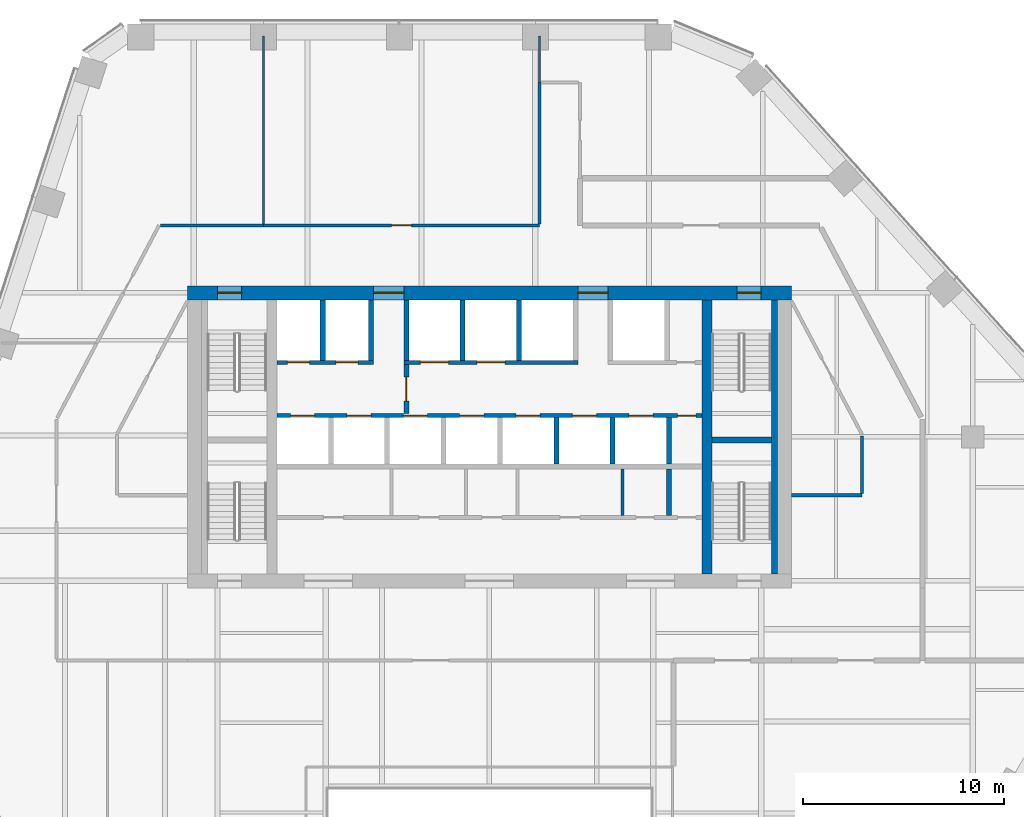
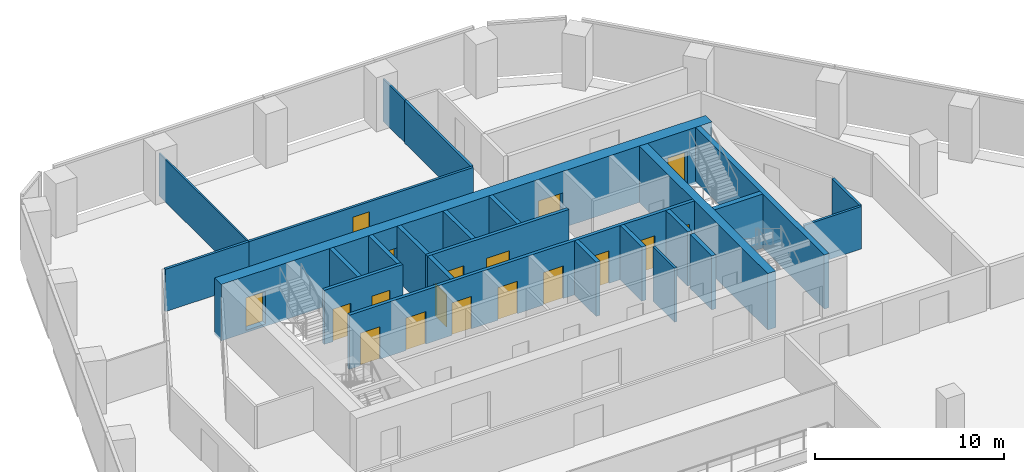
# One storey, part 12 of 16: 25 walls, 18 doors, 18 openings.
"""IFC4 building model written with IfcOpenShell, lengths in metres."""

from ifc_helpers import new_model, si_unit, direction, frame, frame_2d, origin, place, context, subcontext, project, spatial, rectangle, extrude, material, layer, layer_set, type_object, element, fill, save


model = new_model("IFC4")

# Units and contexts
model_context = context("Model", 3, precision=1e-05, world=origin(), true_north=direction((0.0, 1.0)))
body_context = subcontext(model_context, "Body", "Model", "MODEL_VIEW")
ifc_project = project(units=[si_unit("LENGTHUNIT", "METRE"), si_unit("AREAUNIT", "SQUARE_METRE"), si_unit("VOLUMEUNIT", "CUBIC_METRE"), si_unit("PLANEANGLEUNIT", "RADIAN"), si_unit("MASSUNIT", "GRAM", prefix="KILO")], contexts=[model_context])

# Site, building, storey
site_placement = place(None, origin())
site = spatial("IfcSite", under=ifc_project, at=site_placement, CompositionType="ELEMENT")
building_placement = place(site_placement, origin())
building = spatial("IfcBuilding", under=site, at=building_placement, Name="Isthmus Gate Tower", CompositionType="ELEMENT")
storey_placement = place(building_placement, frame((0.0, 0.0, 178.10009765625)))
storey = spatial("IfcBuildingStorey", under=building, at=storey_placement, Name="L44", CompositionType="ELEMENT", Elevation=178.10009765625)

# Wall, opening, door
ifc_material_1 = material(Name="Gypsum board on steel studs, fire-rated", Category="steel")
ifc_layer_1 = layer(ifc_material_1, 0.14990234375)
ifc_layer_set_1 = layer_set([ifc_layer_1], Name="CORRIDOR WALL 150 60 MIN")
wall_type_1 = type_object("IfcWallType", Name="CORRIDOR WALL 150 60 MIN", PredefinedType="PARTITIONING", material=ifc_layer_set_1)
wall_1_placement = place(storey_placement, frame((-11.2119140625, 18.0, 0.0), z_axis=(0.0, 0.0, 1.0), x_axis=(1.0, 0.0, 0.0)))
wall_1 = element("IfcWall", 1, at=wall_1_placement, inside=storey, type_object=wall_type_1, Name="L44 Corridor Wall 150 60 Min", PredefinedType="PARTITIONING", context=body_context, shape_type="SweptSolid", body=[
    extrude(rectangle(XDim=13.7119140625, YDim=0.14990234375, at=frame_2d((6.85595703125, 0.0))), origin(), (0.0, 0.0, 1.0), 2.7412109375),
])
opening_1_placement = place(wall_1_placement, frame((6.35595703125, 0.0, 0.0)))
opening_1 = element("IfcOpeningElement", 2, at=opening_1_placement, cuts=wall_1, Name="Opening DT-T4A-01", PredefinedType="OPENING", context=body_context, shape_type="SweptSolid", body=[
    extrude(rectangle(XDim=1.0, YDim=2.10009765625, at=frame_2d((0.5, 1.050048828125))), frame((0.0, 0.0849609375, 0.0), z_axis=(0.0, -1.0, 0.0), x_axis=(1.0, 0.0, 0.0)), (0.0, 0.0, 1.0), 0.169921875),
])
ifc_material_2 = material(Name="Solid core timber door leaf, fire-rated", Category="wood")
door_type_1 = type_object("IfcDoorType", Name="FIRE DOOR ROOM 1000 X 2100 60 MIN", OperationType="SINGLE_SWING_LEFT", PredefinedType="DOOR", material=ifc_material_2)
door_1_placement = place(opening_1_placement, origin())
door_1 = element("IfcDoor", 3, at=door_1_placement, inside=storey, type_object=door_type_1, Name="L44 room door", OperationType="SINGLE_SWING_RIGHT", OverallHeight=2.10009765625, OverallWidth=1.0, PredefinedType="DOOR", context=body_context, shape_type="SweptSolid", body=[
    extrude(rectangle(XDim=1.0, YDim=2.10009765625, at=frame_2d((0.5, 1.050048828125))), frame((0.0, 0.02490234375, 0.0), z_axis=(0.0, -1.0, 0.0), x_axis=(1.0, 0.0, 0.0)), (0.0, 0.0, 1.0), 0.050048828125),
])
fill(opening_1, door_1)

# Walls
wall_2_placement = place(storey_placement, frame((2.5, 18.074951171875, 0.0), z_axis=(0.0, 0.0, 1.0), x_axis=(0.0, 1.0, 0.0)))
element("IfcWall", 4, at=wall_2_placement, inside=storey, type_object=wall_type_1, Name="L44 Corridor Wall 150 60 Min", PredefinedType="PARTITIONING", context=body_context, shape_type="SweptSolid", body=[
    extrude(rectangle(XDim=7.025146484375, YDim=0.14990234375, at=frame_2d((3.5126953125, 0.0))), origin(), (0.0, 0.0, 1.0), 2.7412109375),
])
wall_3_placement = place(storey_placement, frame((-16.327880859375, 18.0, 0.0), z_axis=(0.0, 0.0, 1.0), x_axis=(1.0, 0.0, 0.0)))
element("IfcWall", 5, at=wall_3_placement, inside=storey, type_object=wall_type_1, Name="L44 Corridor Wall 150 60 Min", PredefinedType="PARTITIONING", context=body_context, shape_type="SweptSolid", body=[
    extrude(rectangle(XDim=5.115966796875, YDim=0.14990234375, at=frame_2d((2.55810546875, 0.0))), origin(), (0.0, 0.0, 1.0), 2.7412109375),
])
wall_4_placement = place(storey_placement, frame((15.0, 4.60009765625, 0.0), z_axis=(0.0, 0.0, 1.0), x_axis=(1.0, 0.0, 0.0)))
element("IfcWall", 6, at=wall_4_placement, inside=storey, type_object=wall_type_1, Name="L44 Corridor Wall 150 60 Min", PredefinedType="PARTITIONING", context=body_context, shape_type="SweptSolid", body=[
    extrude(rectangle(XDim=3.5, YDim=0.14990234375, at=frame_2d((1.75, 0.0))), origin(), (0.0, 0.0, 1.0), 2.7412109375),
])
wall_5_placement = place(storey_placement, frame((18.5, 4.675048828125, 0.0), z_axis=(0.0, 0.0, 1.0), x_axis=(0.0, 1.0, 0.0)))
element("IfcWall", 7, at=wall_5_placement, inside=storey, type_object=wall_type_1, Name="L44 Corridor Wall 150 60 Min", PredefinedType="PARTITIONING", context=body_context, shape_type="SweptSolid", body=[
    extrude(rectangle(XDim=2.876953125, YDim=0.14990234375, at=frame_2d((1.4384765625, 0.0))), origin(), (0.0, 0.0, 1.0), 2.7412109375),
])

# Wall, opening, door
ifc_material_3 = material(Name="Fire-rated blockwork masonry, 15 MPa", Category="masonry")
ifc_layer_2 = layer(ifc_material_3, 0.25)
ifc_layer_set_2 = layer_set([ifc_layer_2], Name="FIRE-FIGHTING LOBBY WALL 250 90 MIN")
wall_type_2 = type_object("IfcWallType", Name="FIRE-FIGHTING LOBBY WALL 250 90 MIN", PredefinedType="PARTITIONING", material=ifc_layer_set_2)
wall_6_placement = place(storey_placement, frame((-4.125, 8.64990234375, 0.0), z_axis=(0.0, 0.0, 1.0), x_axis=(0.0, 1.0, 0.0)))
wall_6 = element("IfcWall", 8, at=wall_6_placement, inside=storey, type_object=wall_type_2, Name="L44 FIRE-FIGHTING LOBBY WALL 250 90 MIN", PredefinedType="PARTITIONING", context=body_context, shape_type="SweptSolid", body=[
    extrude(rectangle(XDim=2.4501953125, YDim=0.25, at=frame_2d((1.22509765625, 0.0))), origin(), (0.0, 0.0, 1.0), 3.5),
])
opening_2_placement = place(wall_6_placement, frame((0.625, 0.0, 0.0)))
opening_2 = element("IfcOpeningElement", 9, at=opening_2_placement, cuts=wall_6, Name="Opening DC-A11-01", PredefinedType="OPENING", context=body_context, shape_type="SweptSolid", body=[
    extrude(rectangle(XDim=1.199951171875, YDim=2.10009765625, at=frame_2d((0.60009765625, 1.050048828125))), frame((0.0, 0.135009765625, 0.0), z_axis=(0.0, -1.0, 0.0), x_axis=(1.0, 0.0, 0.0)), (0.0, 0.0, 1.0), 0.27001953125),
])
ifc_material_4 = material(Name="Steel door leaf, fire-rated", Category="steel")
door_type_2 = type_object("IfcDoorType", Name="LOBBY FIRE DOOR 1200 X 2100 90 MIN", OperationType="DOUBLE_DOOR_SINGLE_SWING", PredefinedType="DOOR", material=ifc_material_4)
door_2_placement = place(opening_2_placement, origin())
door_2 = element("IfcDoor", 10, at=door_2_placement, inside=storey, type_object=door_type_2, Name="Fire-fighting Lobby Door", OperationType="SINGLE_SWING_LEFT", OverallHeight=2.10009765625, OverallWidth=1.199951171875, PredefinedType="DOOR", context=body_context, shape_type="SweptSolid", body=[
    extrude(rectangle(XDim=1.199951171875, YDim=2.10009765625, at=frame_2d((0.60009765625, 1.050048828125))), frame((0.0, 0.02490234375, 0.0), z_axis=(0.0, -1.0, 0.0), x_axis=(1.0, 0.0, 0.0)), (0.0, 0.0, 1.0), 0.050048828125),
])
fill(opening_2, door_2)

# Wall
ifc_material_5 = material(Name="Concrete f'c 60 MPa", Category="concrete")
ifc_layer_3 = layer(ifc_material_5, 0.5)
ifc_layer_set_3 = layer_set([ifc_layer_3], Name="RC CORE SPINE WALL 500 F'C 60")
wall_type_3 = type_object("IfcWallType", Name="RC CORE SPINE WALL 500 F'C 60", PredefinedType="SOLIDWALL", material=ifc_layer_set_3)
wall_7_placement = place(storey_placement, frame((10.800048828125, 0.699951171875, -0.150146484375), z_axis=(0.0, 0.0, 1.0), x_axis=(0.0, 1.0, 0.0)))
element("IfcWall", 11, at=wall_7_placement, inside=storey, type_object=wall_type_3, Name="str-corewall-L44-SPE", PredefinedType="SOLIDWALL", context=body_context, shape_type="SweptSolid", body=[
    extrude(rectangle(XDim=13.60009765625, YDim=0.5, at=frame_2d((6.800048828125, 0.0))), origin(), (0.0, 0.0, 1.0), 3.650146484375),
])

# Wall, openings, doors
ifc_material_6 = material(Name="Concrete f'c 60 MPa", Category="concrete")
ifc_layer_4 = layer(ifc_material_6, 0.699951171875)
ifc_layer_set_4 = layer_set([ifc_layer_4], Name="RC CORE WALL 700 F'C 60")
wall_type_4 = type_object("IfcWallType", Name="RC CORE WALL 700 F'C 60", PredefinedType="SOLIDWALL", material=ifc_layer_set_4)
wall_8_placement = place(storey_placement, frame((-15.0, 14.64990234375, -0.150146484375), z_axis=(0.0, 0.0, 1.0), x_axis=(1.0, 0.0, 0.0)))
wall_8 = element("IfcWall", 12, at=wall_8_placement, inside=storey, type_object=wall_type_4, Name="str-corewall-L44-N", PredefinedType="SOLIDWALL", context=body_context, shape_type="SweptSolid", body=[
    extrude(rectangle(XDim=30.0, YDim=0.699951171875, at=frame_2d((15.0, 0.0))), origin(), (0.0, 0.0, 1.0), 3.650146484375),
])
opening_3_placement = place(wall_8_placement, frame((9.25, 0.0, 0.14990234375)))
opening_3 = element("IfcOpeningElement", 13, at=opening_3_placement, cuts=wall_8, Name="Opening DC-A11-13", PredefinedType="OPENING", context=body_context, shape_type="SweptSolid", body=[
    extrude(rectangle(XDim=1.5, YDim=2.10009765625, at=frame_2d((0.75, 1.050048828125))), frame((0.0, 0.35986328125, 0.0), z_axis=(0.0, -1.0, 0.0), x_axis=(1.0, 0.0, 0.0)), (0.0, 0.0, 1.0), 0.719970703125),
])
opening_4_placement = place(wall_8_placement, frame((19.39990234375, 0.0, 0.14990234375)))
opening_4 = element("IfcOpeningElement", 14, at=opening_4_placement, cuts=wall_8, Name="Opening DC-A11-14", PredefinedType="OPENING", context=body_context, shape_type="SweptSolid", body=[
    extrude(rectangle(XDim=1.5, YDim=2.10009765625, at=frame_2d((0.75, 1.050048828125))), frame((0.0, 0.35986328125, 0.0), z_axis=(0.0, -1.0, 0.0), x_axis=(1.0, 0.0, 0.0)), (0.0, 0.0, 1.0), 0.719970703125),
])
opening_5_placement = place(wall_8_placement, frame((1.5, 0.0, 0.14990234375)))
opening_5 = element("IfcOpeningElement", 15, at=opening_5_placement, cuts=wall_8, Name="Opening DC-A11-15", PredefinedType="OPENING", context=body_context, shape_type="SweptSolid", body=[
    extrude(rectangle(XDim=1.199951171875, YDim=2.10009765625, at=frame_2d((0.60009765625, 1.050048828125))), frame((0.0, 0.35986328125, 0.0), z_axis=(0.0, -1.0, 0.0), x_axis=(1.0, 0.0, 0.0)), (0.0, 0.0, 1.0), 0.719970703125),
])
opening_6_placement = place(wall_8_placement, frame((27.300048828125, 0.0, 0.14990234375)))
opening_6 = element("IfcOpeningElement", 16, at=opening_6_placement, cuts=wall_8, Name="Opening DC-A11-16", PredefinedType="OPENING", context=body_context, shape_type="SweptSolid", body=[
    extrude(rectangle(XDim=1.199951171875, YDim=2.10009765625, at=frame_2d((0.60009765625, 1.050048828125))), frame((0.0, 0.35986328125, 0.0), z_axis=(0.0, -1.0, 0.0), x_axis=(1.0, 0.0, 0.0)), (0.0, 0.0, 1.0), 0.719970703125),
])
ifc_material_7 = material(Name="Steel door leaf, fire-rated", Category="steel")
door_type_3 = type_object("IfcDoorType", Name="LOBBY FIRE DOOR 1500 X 2100 60 MIN", OperationType="DOUBLE_DOOR_SINGLE_SWING", PredefinedType="DOOR", material=ifc_material_7)
door_3_placement = place(opening_4_placement, origin())
door_3 = element("IfcDoor", 17, at=door_3_placement, inside=storey, type_object=door_type_3, Name="Lobby Door PN-E", OperationType="DOUBLE_DOOR_SINGLE_SWING", OverallHeight=2.10009765625, OverallWidth=1.5, PredefinedType="DOOR", context=body_context, shape_type="SweptSolid", body=[
    extrude(rectangle(XDim=1.5, YDim=2.10009765625, at=frame_2d((0.75, 1.050048828125))), frame((0.0, 0.02490234375, 0.0), z_axis=(0.0, -1.0, 0.0), x_axis=(1.0, 0.0, 0.0)), (0.0, 0.0, 1.0), 0.050048828125),
])
fill(opening_4, door_3)
ifc_material_8 = material(Name="Steel door leaf, fire-rated", Category="steel")
door_type_4 = type_object("IfcDoorType", Name="LOBBY FIRE DOOR 1500 X 2100 90 MIN", OperationType="DOUBLE_DOOR_SINGLE_SWING", PredefinedType="DOOR", material=ifc_material_8)
door_4_placement = place(opening_3_placement, origin())
door_4 = element("IfcDoor", 18, at=door_4_placement, inside=storey, type_object=door_type_4, Name="Lobby Door PN-W", OperationType="DOUBLE_DOOR_SINGLE_SWING", OverallHeight=2.10009765625, OverallWidth=1.5, PredefinedType="DOOR", context=body_context, shape_type="SweptSolid", body=[
    extrude(rectangle(XDim=1.5, YDim=2.10009765625, at=frame_2d((0.75, 1.050048828125))), frame((0.0, 0.02490234375, 0.0), z_axis=(0.0, -1.0, 0.0), x_axis=(1.0, 0.0, 0.0)), (0.0, 0.0, 1.0), 0.050048828125),
])
fill(opening_3, door_4)
ifc_material_9 = material(Name="Steel door leaf, fire-rated", Category="steel")
door_type_5 = type_object("IfcDoorType", Name="STAIR FIRE DOOR 1200 X 2100 90 MIN", OperationType="SINGLE_SWING_LEFT", PredefinedType="DOOR", material=ifc_material_9)
door_5_placement = place(opening_5_placement, origin())
door_5 = element("IfcDoor", 19, at=door_5_placement, inside=storey, type_object=door_type_5, Name="Exit Stair 1 Door", OperationType="SINGLE_SWING_RIGHT", OverallHeight=2.10009765625, OverallWidth=1.199951171875, PredefinedType="DOOR", context=body_context, shape_type="SweptSolid", body=[
    extrude(rectangle(XDim=1.199951171875, YDim=2.10009765625, at=frame_2d((0.60009765625, 1.050048828125))), frame((0.0, 0.02490234375, 0.0), z_axis=(0.0, -1.0, 0.0), x_axis=(1.0, 0.0, 0.0)), (0.0, 0.0, 1.0), 0.050048828125),
])
fill(opening_5, door_5)
door_6_placement = place(opening_6_placement, origin())
door_6 = element("IfcDoor", 20, at=door_6_placement, inside=storey, type_object=door_type_5, Name="Exit Stair 2 Door", OperationType="SINGLE_SWING_LEFT", OverallHeight=2.10009765625, OverallWidth=1.199951171875, PredefinedType="DOOR", context=body_context, shape_type="SweptSolid", body=[
    extrude(rectangle(XDim=1.199951171875, YDim=2.10009765625, at=frame_2d((0.60009765625, 1.050048828125))), frame((0.0, 0.02490234375, 0.0), z_axis=(0.0, -1.0, 0.0), x_axis=(1.0, 0.0, 0.0)), (0.0, 0.0, 1.0), 0.050048828125),
])
fill(opening_6, door_6)

# Walls
ifc_material_10 = material(Name="Gypsum board on steel studs, fire-rated", Category="steel")
ifc_layer_5 = layer(ifc_material_10, 0.10009765625)
ifc_layer_set_5 = layer_set([ifc_layer_5], Name="ROOM PARTITION 100 30 MIN")
wall_type_5 = type_object("IfcWallType", Name="ROOM PARTITION 100 30 MIN", PredefinedType="PARTITIONING", material=ifc_layer_set_5)
wall_9_placement = place(storey_placement, frame((2.5, 25.10009765625, 0.0), z_axis=(0.0, 0.0, 1.0), x_axis=(0.0, 1.0, 0.0)))
element("IfcWall", 21, at=wall_9_placement, inside=storey, type_object=wall_type_5, Name="L44 Room Partition 100 30 Min", PredefinedType="PARTITIONING", context=body_context, shape_type="SweptSolid", body=[
    extrude(rectangle(XDim=2.2998046875, YDim=0.10009765625, at=frame_2d((1.14990234375, 0.0))), origin(), (0.0, 0.0, 1.0), 2.7412109375),
])
wall_10_placement = place(storey_placement, frame((-11.2119140625, 18.074951171875, 0.0), z_axis=(0.0, 0.0, 1.0), x_axis=(0.0, 1.0, 0.0)))
element("IfcWall", 22, at=wall_10_placement, inside=storey, type_object=wall_type_5, Name="L44 Room Partition 100 30 Min", PredefinedType="PARTITIONING", context=body_context, shape_type="SweptSolid", body=[
    extrude(rectangle(XDim=9.324951171875, YDim=0.10009765625, at=frame_2d((4.66259765625, 0.0))), origin(), (0.0, 0.0, 1.0), 2.7412109375),
])
ifc_material_11 = material(Name="Gypsum board on steel studs, fire-rated", Category="steel")
ifc_layer_6 = layer(ifc_material_11, 0.14990234375)
ifc_layer_set_6 = layer_set([ifc_layer_6], Name="ROOM PARTITION 150 60 MIN")
wall_type_6 = type_object("IfcWallType", Name="ROOM PARTITION 150 60 MIN", PredefinedType="PARTITIONING", material=ifc_layer_set_6)
wall_11_placement = place(storey_placement, frame((6.60009765625, 3.60009765625, 0.0), z_axis=(0.0, 0.0, 1.0), x_axis=(0.0, 1.0, 0.0)))
element("IfcWall", 23, at=wall_11_placement, inside=storey, type_object=wall_type_6, Name="L44 ROOM PARTITION 150 60 MIN", PredefinedType="PARTITIONING", context=body_context, shape_type="SweptSolid", body=[
    extrude(rectangle(XDim=2.2998046875, YDim=0.14990234375, at=frame_2d((1.14990234375, 0.0))), origin(), (0.0, 0.0, 1.0), 3.5),
])

# Wall, openings, doors
ifc_material_12 = material(Name="Fire-rated blockwork masonry, 15 MPa", Category="masonry")
ifc_layer_7 = layer(ifc_material_12, 0.199951171875)
ifc_layer_set_7 = layer_set([ifc_layer_7], Name="SHAFT FRONT WALL 200 120 MIN")
wall_type_7 = type_object("IfcWallType", Name="SHAFT FRONT WALL 200 120 MIN", PredefinedType="PARTITIONING", material=ifc_layer_set_7)
wall_12_placement = place(storey_placement, frame((-10.550048828125, 8.550048828125, 0.0), z_axis=(0.0, 0.0, 1.0), x_axis=(1.0, 0.0, 0.0)))
wall_12 = element("IfcWall", 24, at=wall_12_placement, inside=storey, type_object=wall_type_7, Name="L44 SHAFT FRONT WALL 200 120 MIN", PredefinedType="PARTITIONING", context=body_context, shape_type="SweptSolid", body=[
    extrude(rectangle(XDim=21.10009765625, YDim=0.199951171875, at=frame_2d((10.550048828125, 0.0))), origin(), (0.0, 0.0, 1.0), 3.5),
])
opening_7_placement = place(wall_12_placement, frame((0.675048828125, 0.0, 0.0)))
opening_7 = element("IfcOpeningElement", 25, at=opening_7_placement, cuts=wall_12, Name="Opening LD-LB1", PredefinedType="OPENING", context=body_context, shape_type="SweptSolid", body=[
    extrude(rectangle(XDim=1.199951171875, YDim=2.10009765625, at=frame_2d((0.60009765625, 1.050048828125))), frame((0.0, 0.10986328125, 0.0), z_axis=(0.0, -1.0, 0.0), x_axis=(1.0, 0.0, 0.0)), (0.0, 0.0, 1.0), 0.219970703125),
])
opening_8_placement = place(wall_12_placement, frame((3.47509765625, 0.0, 0.0)))
opening_8 = element("IfcOpeningElement", 26, at=opening_8_placement, cuts=wall_12, Name="Opening LD-LB2", PredefinedType="OPENING", context=body_context, shape_type="SweptSolid", body=[
    extrude(rectangle(XDim=1.199951171875, YDim=2.10009765625, at=frame_2d((0.60009765625, 1.050048828125))), frame((0.0, 0.10986328125, 0.0), z_axis=(0.0, -1.0, 0.0), x_axis=(1.0, 0.0, 0.0)), (0.0, 0.0, 1.0), 0.219970703125),
])
opening_9_placement = place(wall_12_placement, frame((6.27490234375, 0.0, 0.0)))
opening_9 = element("IfcOpeningElement", 27, at=opening_9_placement, cuts=wall_12, Name="Opening LD-LB3", PredefinedType="OPENING", context=body_context, shape_type="SweptSolid", body=[
    extrude(rectangle(XDim=1.199951171875, YDim=2.10009765625, at=frame_2d((0.60009765625, 1.050048828125))), frame((0.0, 0.10986328125, 0.0), z_axis=(0.0, -1.0, 0.0), x_axis=(1.0, 0.0, 0.0)), (0.0, 0.0, 1.0), 0.219970703125),
])
opening_10_placement = place(wall_12_placement, frame((9.074951171875, 0.0, 0.0)))
opening_10 = element("IfcOpeningElement", 28, at=opening_10_placement, cuts=wall_12, Name="Opening LD-LB4", PredefinedType="OPENING", context=body_context, shape_type="SweptSolid", body=[
    extrude(rectangle(XDim=1.199951171875, YDim=2.10009765625, at=frame_2d((0.60009765625, 1.050048828125))), frame((0.0, 0.10986328125, 0.0), z_axis=(0.0, -1.0, 0.0), x_axis=(1.0, 0.0, 0.0)), (0.0, 0.0, 1.0), 0.219970703125),
])
opening_11_placement = place(wall_12_placement, frame((11.875, 0.0, 0.0)))
opening_11 = element("IfcOpeningElement", 29, at=opening_11_placement, cuts=wall_12, Name="Opening LD-LB5", PredefinedType="OPENING", context=body_context, shape_type="SweptSolid", body=[
    extrude(rectangle(XDim=1.199951171875, YDim=2.10009765625, at=frame_2d((0.60009765625, 1.050048828125))), frame((0.0, 0.10986328125, 0.0), z_axis=(0.0, -1.0, 0.0), x_axis=(1.0, 0.0, 0.0)), (0.0, 0.0, 1.0), 0.219970703125),
])
opening_12_placement = place(wall_12_placement, frame((14.675048828125, 0.0, 0.0)))
opening_12 = element("IfcOpeningElement", 30, at=opening_12_placement, cuts=wall_12, Name="Opening LD-LB6", PredefinedType="OPENING", context=body_context, shape_type="SweptSolid", body=[
    extrude(rectangle(XDim=1.199951171875, YDim=2.10009765625, at=frame_2d((0.60009765625, 1.050048828125))), frame((0.0, 0.10986328125, 0.0), z_axis=(0.0, -1.0, 0.0), x_axis=(1.0, 0.0, 0.0)), (0.0, 0.0, 1.0), 0.219970703125),
])
opening_13_placement = place(wall_12_placement, frame((17.47509765625, 0.0, 0.0)))
opening_13 = element("IfcOpeningElement", 31, at=opening_13_placement, cuts=wall_12, Name="Opening LD-LB7", PredefinedType="OPENING", context=body_context, shape_type="SweptSolid", body=[
    extrude(rectangle(XDim=1.199951171875, YDim=2.10009765625, at=frame_2d((0.60009765625, 1.050048828125))), frame((0.0, 0.10986328125, 0.0), z_axis=(0.0, -1.0, 0.0), x_axis=(1.0, 0.0, 0.0)), (0.0, 0.0, 1.0), 0.219970703125),
])
opening_14_placement = place(wall_12_placement, frame((19.89990234375, 0.0, 0.0)))
opening_14 = element("IfcOpeningElement", 32, at=opening_14_placement, cuts=wall_12, Name="Opening DC-A11-08", PredefinedType="OPENING", context=body_context, shape_type="SweptSolid", body=[
    extrude(rectangle(XDim=0.89990234375, YDim=2.10009765625, at=frame_2d((0.449951171875, 1.050048828125))), frame((0.0, 0.10986328125, 0.0), z_axis=(0.0, -1.0, 0.0), x_axis=(1.0, 0.0, 0.0)), (0.0, 0.0, 1.0), 0.219970703125),
])
ifc_material_13 = material(Name="Stainless steel sliding leaf", Category="steel")
door_type_6 = type_object("IfcDoorType", Name="LIFT LANDING FIRE DOOR 1200 X 2100 90 MIN", OperationType="DOUBLE_DOOR_SLIDING", PredefinedType="DOOR", material=ifc_material_13)
door_7_placement = place(opening_7_placement, origin())
door_7 = element("IfcDoor", 33, at=door_7_placement, inside=storey, type_object=door_type_6, Name="Lift Landing Door LB1", OperationType="DOUBLE_DOOR_SLIDING", OverallHeight=2.10009765625, OverallWidth=1.199951171875, PredefinedType="DOOR", context=body_context, shape_type="SweptSolid", body=[
    extrude(rectangle(XDim=1.199951171875, YDim=2.10009765625, at=frame_2d((0.60009765625, 1.050048828125))), frame((0.0, 0.02490234375, 0.0), z_axis=(0.0, -1.0, 0.0), x_axis=(1.0, 0.0, 0.0)), (0.0, 0.0, 1.0), 0.050048828125),
])
fill(opening_7, door_7)
door_8_placement = place(opening_8_placement, origin())
door_8 = element("IfcDoor", 34, at=door_8_placement, inside=storey, type_object=door_type_6, Name="Lift Landing Door LB2", OperationType="DOUBLE_DOOR_SLIDING", OverallHeight=2.10009765625, OverallWidth=1.199951171875, PredefinedType="DOOR", context=body_context, shape_type="SweptSolid", body=[
    extrude(rectangle(XDim=1.199951171875, YDim=2.10009765625, at=frame_2d((0.60009765625, 1.050048828125))), frame((0.0, 0.02490234375, 0.0), z_axis=(0.0, -1.0, 0.0), x_axis=(1.0, 0.0, 0.0)), (0.0, 0.0, 1.0), 0.050048828125),
])
fill(opening_8, door_8)
door_9_placement = place(opening_9_placement, origin())
door_9 = element("IfcDoor", 35, at=door_9_placement, inside=storey, type_object=door_type_6, Name="Lift Landing Door LB3", OperationType="DOUBLE_DOOR_SLIDING", OverallHeight=2.10009765625, OverallWidth=1.199951171875, PredefinedType="DOOR", context=body_context, shape_type="SweptSolid", body=[
    extrude(rectangle(XDim=1.199951171875, YDim=2.10009765625, at=frame_2d((0.60009765625, 1.050048828125))), frame((0.0, 0.02490234375, 0.0), z_axis=(0.0, -1.0, 0.0), x_axis=(1.0, 0.0, 0.0)), (0.0, 0.0, 1.0), 0.050048828125),
])
fill(opening_9, door_9)
door_10_placement = place(opening_10_placement, origin())
door_10 = element("IfcDoor", 36, at=door_10_placement, inside=storey, type_object=door_type_6, Name="Lift Landing Door LB4", OperationType="DOUBLE_DOOR_SLIDING", OverallHeight=2.10009765625, OverallWidth=1.199951171875, PredefinedType="DOOR", context=body_context, shape_type="SweptSolid", body=[
    extrude(rectangle(XDim=1.199951171875, YDim=2.10009765625, at=frame_2d((0.60009765625, 1.050048828125))), frame((0.0, 0.02490234375, 0.0), z_axis=(0.0, -1.0, 0.0), x_axis=(1.0, 0.0, 0.0)), (0.0, 0.0, 1.0), 0.050048828125),
])
fill(opening_10, door_10)
door_11_placement = place(opening_11_placement, origin())
door_11 = element("IfcDoor", 37, at=door_11_placement, inside=storey, type_object=door_type_6, Name="Lift Landing Door LB5", OperationType="DOUBLE_DOOR_SLIDING", OverallHeight=2.10009765625, OverallWidth=1.199951171875, PredefinedType="DOOR", context=body_context, shape_type="SweptSolid", body=[
    extrude(rectangle(XDim=1.199951171875, YDim=2.10009765625, at=frame_2d((0.60009765625, 1.050048828125))), frame((0.0, 0.02490234375, 0.0), z_axis=(0.0, -1.0, 0.0), x_axis=(1.0, 0.0, 0.0)), (0.0, 0.0, 1.0), 0.050048828125),
])
fill(opening_11, door_11)
door_12_placement = place(opening_12_placement, origin())
door_12 = element("IfcDoor", 38, at=door_12_placement, inside=storey, type_object=door_type_6, Name="Lift Landing Door LB6", OperationType="DOUBLE_DOOR_SLIDING", OverallHeight=2.10009765625, OverallWidth=1.199951171875, PredefinedType="DOOR", context=body_context, shape_type="SweptSolid", body=[
    extrude(rectangle(XDim=1.199951171875, YDim=2.10009765625, at=frame_2d((0.60009765625, 1.050048828125))), frame((0.0, 0.02490234375, 0.0), z_axis=(0.0, -1.0, 0.0), x_axis=(1.0, 0.0, 0.0)), (0.0, 0.0, 1.0), 0.050048828125),
])
fill(opening_12, door_12)
door_13_placement = place(opening_13_placement, origin())
door_13 = element("IfcDoor", 39, at=door_13_placement, inside=storey, type_object=door_type_6, Name="Lift Landing Door LB7", OperationType="DOUBLE_DOOR_SLIDING", OverallHeight=2.10009765625, OverallWidth=1.199951171875, PredefinedType="DOOR", context=body_context, shape_type="SweptSolid", body=[
    extrude(rectangle(XDim=1.199951171875, YDim=2.10009765625, at=frame_2d((0.60009765625, 1.050048828125))), frame((0.0, 0.02490234375, 0.0), z_axis=(0.0, -1.0, 0.0), x_axis=(1.0, 0.0, 0.0)), (0.0, 0.0, 1.0), 0.050048828125),
])
fill(opening_13, door_13)
ifc_material_14 = material(Name="Steel door leaf, fire-rated", Category="steel")
door_type_7 = type_object("IfcDoorType", Name="RISER FIRE DOOR 900 X 2100 90 MIN", OperationType="SINGLE_SWING_LEFT", PredefinedType="DOOR", material=ifc_material_14)
door_14_placement = place(opening_14_placement, origin())
door_14 = element("IfcDoor", 40, at=door_14_placement, inside=storey, type_object=door_type_7, Name="Riser Door", OperationType="SINGLE_SWING_RIGHT", OverallHeight=2.10009765625, OverallWidth=0.89990234375, PredefinedType="DOOR", context=body_context, shape_type="SweptSolid", body=[
    extrude(rectangle(XDim=0.89990234375, YDim=2.10009765625, at=frame_2d((0.449951171875, 1.050048828125))), frame((0.0, 0.02490234375, 0.0), z_axis=(0.0, -1.0, 0.0), x_axis=(1.0, 0.0, 0.0)), (0.0, 0.0, 1.0), 0.050048828125),
])
fill(opening_14, door_14)

wall_13_placement = place(storey_placement, frame((-10.550048828125, 11.199951171875, 0.0), z_axis=(0.0, 0.0, 1.0), x_axis=(1.0, 0.0, 0.0)))
wall_13 = element("IfcWall", 41, at=wall_13_placement, inside=storey, type_object=wall_type_7, Name="L44 SHAFT FRONT WALL 200 120 MIN", PredefinedType="PARTITIONING", context=body_context, shape_type="SweptSolid", body=[
    extrude(rectangle(XDim=4.800048828125, YDim=0.199951171875, at=frame_2d((2.39990234375, 0.0))), origin(), (0.0, 0.0, 1.0), 3.5),
])
opening_15_placement = place(wall_13_placement, frame((0.52490234375, 0.0, 0.0)))
opening_15 = element("IfcOpeningElement", 42, at=opening_15_placement, cuts=wall_13, Name="Opening LD-LF1", PredefinedType="OPENING", context=body_context, shape_type="SweptSolid", body=[
    extrude(rectangle(XDim=1.10009765625, YDim=2.10009765625, at=frame_2d((0.550048828125, 1.050048828125))), frame((0.0, 0.10986328125, 0.0), z_axis=(0.0, -1.0, 0.0), x_axis=(1.0, 0.0, 0.0)), (0.0, 0.0, 1.0), 0.219970703125),
])
opening_16_placement = place(wall_13_placement, frame((2.925048828125, 0.0, 0.0)))
opening_16 = element("IfcOpeningElement", 43, at=opening_16_placement, cuts=wall_13, Name="Opening LD-LF2", PredefinedType="OPENING", context=body_context, shape_type="SweptSolid", body=[
    extrude(rectangle(XDim=1.10009765625, YDim=2.10009765625, at=frame_2d((0.550048828125, 1.050048828125))), frame((0.0, 0.10986328125, 0.0), z_axis=(0.0, -1.0, 0.0), x_axis=(1.0, 0.0, 0.0)), (0.0, 0.0, 1.0), 0.219970703125),
])
ifc_material_15 = material(Name="Stainless steel sliding leaf", Category="steel")
door_type_8 = type_object("IfcDoorType", Name="LIFT LANDING FIRE DOOR 1100 X 2100 90 MIN", OperationType="DOUBLE_DOOR_SLIDING", PredefinedType="DOOR", material=ifc_material_15)
door_15_placement = place(opening_15_placement, origin())
door_15 = element("IfcDoor", 44, at=door_15_placement, inside=storey, type_object=door_type_8, Name="Lift Landing Door LF1", OperationType="DOUBLE_DOOR_SLIDING", OverallHeight=2.10009765625, OverallWidth=1.10009765625, PredefinedType="DOOR", context=body_context, shape_type="SweptSolid", body=[
    extrude(rectangle(XDim=1.10009765625, YDim=2.10009765625, at=frame_2d((0.550048828125, 1.050048828125))), frame((0.0, 0.02490234375, 0.0), z_axis=(0.0, -1.0, 0.0), x_axis=(1.0, 0.0, 0.0)), (0.0, 0.0, 1.0), 0.050048828125),
])
fill(opening_15, door_15)
door_16_placement = place(opening_16_placement, origin())
door_16 = element("IfcDoor", 45, at=door_16_placement, inside=storey, type_object=door_type_8, Name="Lift Landing Door LF2", OperationType="DOUBLE_DOOR_SLIDING", OverallHeight=2.10009765625, OverallWidth=1.10009765625, PredefinedType="DOOR", context=body_context, shape_type="SweptSolid", body=[
    extrude(rectangle(XDim=1.10009765625, YDim=2.10009765625, at=frame_2d((0.550048828125, 1.050048828125))), frame((0.0, 0.02490234375, 0.0), z_axis=(0.0, -1.0, 0.0), x_axis=(1.0, 0.0, 0.0)), (0.0, 0.0, 1.0), 0.050048828125),
])
fill(opening_16, door_16)

wall_14_placement = place(storey_placement, frame((-4.25, 11.199951171875, 0.0), z_axis=(0.0, 0.0, 1.0), x_axis=(1.0, 0.0, 0.0)))
wall_14 = element("IfcWall", 46, at=wall_14_placement, inside=storey, type_object=wall_type_7, Name="L44 SHAFT FRONT WALL 200 120 MIN", PredefinedType="PARTITIONING", context=body_context, shape_type="SweptSolid", body=[
    extrude(rectangle(XDim=8.64990234375, YDim=0.199951171875, at=frame_2d((4.324951171875, 0.0))), origin(), (0.0, 0.0, 1.0), 3.5),
])
opening_17_placement = place(wall_14_placement, frame((0.824951171875, 0.0, 0.0)))
opening_17 = element("IfcOpeningElement", 47, at=opening_17_placement, cuts=wall_14, Name="Opening LD-LV1", PredefinedType="OPENING", context=body_context, shape_type="SweptSolid", body=[
    extrude(rectangle(XDim=1.39990234375, YDim=2.10009765625, at=frame_2d((0.699951171875, 1.050048828125))), frame((0.0, 0.10986328125, 0.0), z_axis=(0.0, -1.0, 0.0), x_axis=(1.0, 0.0, 0.0)), (0.0, 0.0, 1.0), 0.219970703125),
])
opening_18_placement = place(wall_14_placement, frame((3.625, 0.0, 0.0)))
opening_18 = element("IfcOpeningElement", 48, at=opening_18_placement, cuts=wall_14, Name="Opening LD-LV2", PredefinedType="OPENING", context=body_context, shape_type="SweptSolid", body=[
    extrude(rectangle(XDim=1.39990234375, YDim=2.10009765625, at=frame_2d((0.699951171875, 1.050048828125))), frame((0.0, 0.10986328125, 0.0), z_axis=(0.0, -1.0, 0.0), x_axis=(1.0, 0.0, 0.0)), (0.0, 0.0, 1.0), 0.219970703125),
])
ifc_material_16 = material(Name="Stainless steel sliding leaf", Category="steel")
door_type_9 = type_object("IfcDoorType", Name="LIFT LANDING FIRE DOOR 1400 X 2100 90 MIN", OperationType="DOUBLE_DOOR_SLIDING", PredefinedType="DOOR", material=ifc_material_16)
door_17_placement = place(opening_17_placement, origin())
door_17 = element("IfcDoor", 49, at=door_17_placement, inside=storey, type_object=door_type_9, Name="Lift Landing Door LV1", OperationType="DOUBLE_DOOR_SLIDING", OverallHeight=2.10009765625, OverallWidth=1.39990234375, PredefinedType="DOOR", context=body_context, shape_type="SweptSolid", body=[
    extrude(rectangle(XDim=1.39990234375, YDim=2.10009765625, at=frame_2d((0.699951171875, 1.050048828125))), frame((0.0, 0.02490234375, 0.0), z_axis=(0.0, -1.0, 0.0), x_axis=(1.0, 0.0, 0.0)), (0.0, 0.0, 1.0), 0.050048828125),
])
fill(opening_17, door_17)
door_18_placement = place(opening_18_placement, origin())
door_18 = element("IfcDoor", 50, at=door_18_placement, inside=storey, type_object=door_type_9, Name="Lift Landing Door LV2", OperationType="DOUBLE_DOOR_SLIDING", OverallHeight=2.10009765625, OverallWidth=1.39990234375, PredefinedType="DOOR", context=body_context, shape_type="SweptSolid", body=[
    extrude(rectangle(XDim=1.39990234375, YDim=2.10009765625, at=frame_2d((0.699951171875, 1.050048828125))), frame((0.0, 0.02490234375, 0.0), z_axis=(0.0, -1.0, 0.0), x_axis=(1.0, 0.0, 0.0)), (0.0, 0.0, 1.0), 0.050048828125),
])
fill(opening_18, door_18)

# Walls
ifc_material_17 = material(Name="Fire-rated blockwork masonry, 15 MPa", Category="masonry")
ifc_layer_8 = layer(ifc_material_17, 0.25)
ifc_layer_set_8 = layer_set([ifc_layer_8], Name="SHAFT WALL 250 120 MIN")
wall_type_8 = type_object("IfcWallType", Name="SHAFT WALL 250 120 MIN", PredefinedType="PARTITIONING", material=ifc_layer_set_8)
wall_15_placement = place(storey_placement, frame((8.925048828125, 3.60009765625, 0.0), z_axis=(0.0, 0.0, 1.0), x_axis=(0.0, 1.0, 0.0)))
element("IfcWall", 51, at=wall_15_placement, inside=storey, type_object=wall_type_8, Name="L44 SHAFT WALL 250 120 MIN", PredefinedType="PARTITIONING", context=body_context, shape_type="SweptSolid", body=[
    extrude(rectangle(XDim=2.2998046875, YDim=0.25, at=frame_2d((1.14990234375, 0.0))), origin(), (0.0, 0.0, 1.0), 3.5),
])
for number, where, z_axis, x_axis, name in (
    (52, (3.324951171875, 6.14990234375, 0.0), (0.0, 0.0, 1.0), (0.0, 1.0, 0.0), "L44 SHAFT WALL 250 120 MIN"),
    (53, (6.125, 6.14990234375, 0.0), (0.0, 0.0, 1.0), (0.0, 1.0, 0.0), "L44 SHAFT WALL 250 120 MIN"),
    (54, (8.925048828125, 6.14990234375, 0.0), (0.0, 0.0, 1.0), (0.0, 1.0, 0.0), "L44 SHAFT WALL 250 120 MIN"),
):
    element("IfcWall", number, at=place(storey_placement, frame(where, z_axis=z_axis, x_axis=x_axis)), inside=storey, type_object=wall_type_8, Name=name, PredefinedType="PARTITIONING", context=body_context, shape_type="SweptSolid", body=[
        extrude(rectangle(XDim=2.300048828125, YDim=0.25, at=frame_2d((1.14990234375, 0.0))), origin(), (0.0, 0.0, 1.0), 3.5),
    ])
for number, where, z_axis, x_axis, name in (
    (55, (-8.27490234375, 11.300048828125, 0.0), (0.0, 0.0, 1.0), (0.0, 1.0, 0.0), "L44 SHAFT WALL 250 120 MIN"),
    (56, (-5.875, 11.300048828125, 0.0), (0.0, 0.0, 1.0), (0.0, 1.0, 0.0), "L44 SHAFT WALL 250 120 MIN"),
    (57, (-4.125, 11.300048828125, 0.0), (0.0, 0.0, 1.0), (0.0, 1.0, 0.0), "L44 SHAFT WALL 250 120 MIN"),
    (58, (-1.324951171875, 11.300048828125, 0.0), (0.0, 0.0, 1.0), (0.0, 1.0, 0.0), "L44 SHAFT WALL 250 120 MIN"),
    (59, (1.47509765625, 11.300048828125, 0.0), (0.0, 0.0, 1.0), (0.0, 1.0, 0.0), "L44 SHAFT WALL 250 120 MIN"),
):
    element("IfcWall", number, at=place(storey_placement, frame(where, z_axis=z_axis, x_axis=x_axis)), inside=storey, type_object=wall_type_8, Name=name, PredefinedType="PARTITIONING", context=body_context, shape_type="SweptSolid", body=[
        extrude(rectangle(XDim=3.0, YDim=0.25, at=frame_2d((1.5, 0.0))), origin(), (0.0, 0.0, 1.0), 3.5),
    ])
ifc_material_18 = material(Name="Concrete f'c 40 MPa", Category="concrete")
ifc_layer_9 = layer(ifc_material_18, 0.300048828125)
ifc_layer_set_9 = layer_set([ifc_layer_9], Name="STAIR ENCLOSURE WALL 300 180 MIN")
wall_type_9 = type_object("IfcWallType", Name="STAIR ENCLOSURE WALL 300 180 MIN", PredefinedType="SOLIDWALL", material=ifc_layer_set_9)
wall_16_placement = place(storey_placement, frame((11.050048828125, 7.35009765625, 0.0), z_axis=(0.0, 0.0, 1.0), x_axis=(1.0, 0.0, 0.0)))
element("IfcWall", 60, at=wall_16_placement, inside=storey, type_object=wall_type_9, Name="L44 STAIR ENCLOSURE WALL 300 180 MIN", PredefinedType="SOLIDWALL", context=body_context, shape_type="SweptSolid", body=[
    extrude(rectangle(XDim=2.949951171875, YDim=0.300048828125, at=frame_2d((1.47509765625, 0.0))), origin(), (0.0, 0.0, 1.0), 3.5),
])
wall_17_placement = place(storey_placement, frame((14.14990234375, 0.699951171875, 0.0), z_axis=(0.0, 0.0, 1.0), x_axis=(0.0, 1.0, 0.0)))
element("IfcWall", 61, at=wall_17_placement, inside=storey, type_object=wall_type_9, Name="L44 STAIR ENCLOSURE WALL 300 180 MIN", PredefinedType="SOLIDWALL", context=body_context, shape_type="SweptSolid", body=[
    extrude(rectangle(XDim=13.60009765625, YDim=0.300048828125, at=frame_2d((6.800048828125, 0.0))), origin(), (0.0, 0.0, 1.0), 3.5),
])

save(model, "model.ifc")
